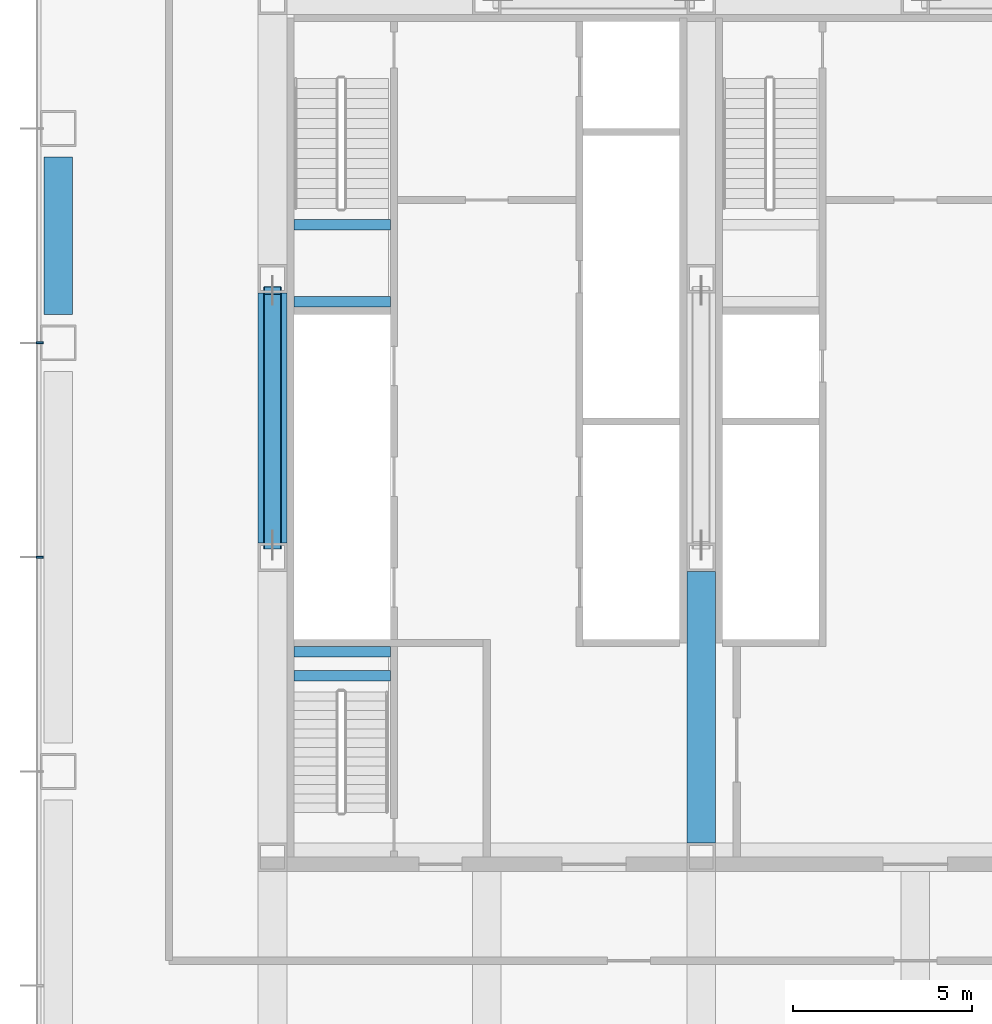
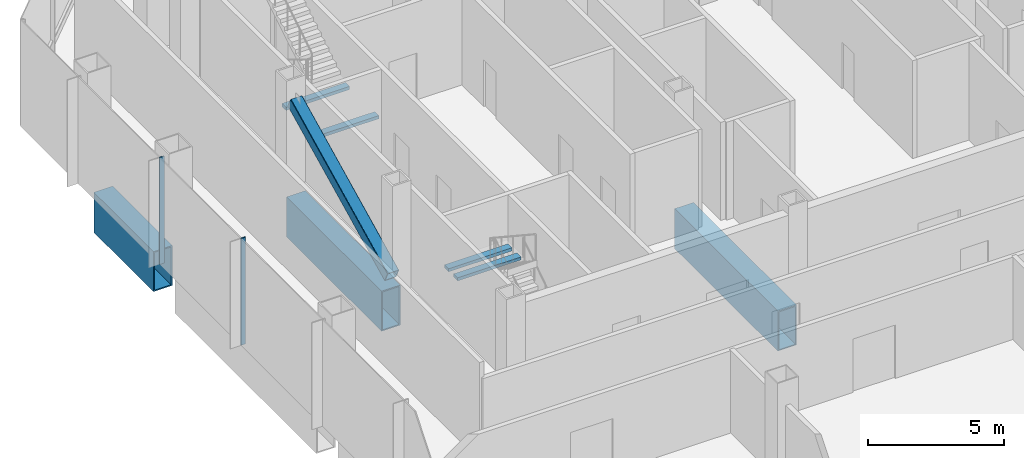
# One storey, part 10 of 34: 7 beams, 3 members, 1 element without a shape of its own.
"""IFC4 building model written with IfcOpenShell, lengths in metres."""

from ifc_helpers import new_model, si_unit, direction, frame, origin, origin_2d, place, context, subcontext, project, spatial, rectangle, hollow_rectangle, extrude, material, material_profile, profile_set, type_object, element, aggregate, save


model = new_model("IFC4")

# Units and contexts
model_context = context("Model", 3, precision=1e-05, world=origin(), true_north=direction((0.0, 1.0)))
body_context = subcontext(model_context, "Body", "Model", "MODEL_VIEW")
ifc_project = project(units=[si_unit("LENGTHUNIT", "METRE"), si_unit("AREAUNIT", "SQUARE_METRE"), si_unit("VOLUMEUNIT", "CUBIC_METRE"), si_unit("PLANEANGLEUNIT", "RADIAN"), si_unit("MASSUNIT", "GRAM", prefix="KILO")], contexts=[model_context])

# Site, building, storey
site_placement = place(None, origin())
site = spatial("IfcSite", under=ifc_project, at=site_placement, CompositionType="ELEMENT")
building_placement = place(site_placement, origin())
building = spatial("IfcBuilding", under=site, at=building_placement, Name="Sorahane Residences", CompositionType="ELEMENT")
storey_placement = place(building_placement, frame((0.0, 0.0, 20.39990234375)))
storey = spatial("IfcBuildingStorey", under=building, at=storey_placement, Name="L02", CompositionType="ELEMENT", Elevation=20.39990234375)

# Member
ifc_material_1 = material(Name="Steel Q355B", Category="steel")
ifc_material_profile_1 = material_profile(ifc_material_1, hollow_rectangle(XDim=0.5, YDim=0.5, WallThickness=0.02490234375, InnerFilletRadius=0.012451171875, OuterFilletRadius=0.03759765625, at=origin_2d()), Name="RHS 500x500x25")
ifc_profile_set_1 = profile_set([ifc_material_profile_1], Name="Steel Q355B")
member_type_1 = type_object("IfcMemberType", Name="Core brace RHS 500x500x25 Q355B", PredefinedType="BRACE", material=ifc_profile_set_1)
member_1_placement = place(storey_placement, frame((6.0, 30.333740234375, 0.217529296875), z_axis=(0.0, 0.896985291701, 0.442060387811), x_axis=(-1.0, 0.0, 0.0)))
element("IfcMember", 1, at=member_1_placement, inside=storey, type_object=member_type_1, Name="Core brace L02 x6-2", PredefinedType="BRACE", context=body_context, shape_type="SweptSolid", body=[
    extrude(hollow_rectangle(XDim=0.5, YDim=0.5, WallThickness=0.02490234375, InnerFilletRadius=0.012451171875, OuterFilletRadius=0.03759765625, at=origin_2d()), origin(), (0.0, 0.0, 1.0), 7.95166015625),
])

# Curtain wall, members
ifc_material_2 = material(Name="Dark low-e glass and black anodised aluminium", Category="aluminium")
curtain_wall_type = type_object("IfcCurtainWallType", Name="Curtain wall CW-3 Podium unitised wall", PredefinedType="NOTDEFINED", material=ifc_material_2)
curtain_wall_placement = place(storey_placement, origin())
curtain_wall = element("IfcCurtainWall", 2, at=curtain_wall_placement, inside=storey, type_object=curtain_wall_type, Name="CW-3 curtain wall L02 W1", PredefinedType="NOTDEFINED")
ifc_material_3 = material(Name="Black anodised aluminium", Category="aluminium")
ifc_material_profile_2 = material_profile(ifc_material_3, rectangle(XDim=0.199951171875, YDim=0.050048828125, at=origin_2d()), Name="Curtain wall mullion CW-3 black anodised aluminium 50x200")
ifc_profile_set_2 = profile_set([ifc_material_profile_2], Name="Black anodised aluminium")
member_type_2 = type_object("IfcMemberType", Name="Curtain wall mullion CW-3 black anodised aluminium 50x200", PredefinedType="MULLION", material=ifc_profile_set_2)
member_2_placement = place(storey_placement, frame((-0.52001953125, 36.0, -0.39990234375), z_axis=(0.0, 0.0, 1.0), x_axis=(-1.0, 0.0, 0.0)))
member_2 = element("IfcMember", 3, at=member_2_placement, type_object=member_type_2, Name="CW-3 mullion L02 W1.3", PredefinedType="MULLION", context=body_context, shape_type="SweptSolid", body=[
    extrude(rectangle(XDim=0.199951171875, YDim=0.050048828125, at=origin_2d()), origin(), (0.0, 0.0, 1.0), 4.800048828125),
])
member_3_placement = place(storey_placement, frame((-0.52001953125, 30.0, -0.39990234375), z_axis=(0.0, 0.0, 1.0), x_axis=(-1.0, 0.0, 0.0)))
member_3 = element("IfcMember", 4, at=member_3_placement, type_object=member_type_2, Name="CW-3 mullion L02 W1.4", PredefinedType="MULLION", context=body_context, shape_type="SweptSolid", body=[
    extrude(rectangle(XDim=0.199951171875, YDim=0.050048828125, at=origin_2d()), origin(), (0.0, 0.0, 1.0), 4.800048828125),
])
aggregate(curtain_wall, [member_2, member_3])

# Beams
ifc_material_4 = material(Name="Concrete C40", Category="concrete")
ifc_material_profile_3 = material_profile(ifc_material_4, rectangle(XDim=0.300048828125, YDim=0.139892578125, at=origin_2d()), Name="300x140")
ifc_profile_set_3 = profile_set([ifc_material_profile_3], Name="Concrete C40")
beam_type_1 = type_object("IfcBeamType", Name="RC landing beam 300 x 140 Concrete C40", PredefinedType="BEAM", material=ifc_profile_set_3)
for number, where, z_axis, x_axis, name in (
    (5, (6.60009765625, 37.14990234375, 2.130126953125), (1.0, 0.0, 0.0), (0.0, 1.0, 0.0), "Landing beam"),
    (6, (6.60009765625, 39.31005859375, 2.130126953125), (1.0, 0.0, 0.0), (0.0, 1.0, 0.0), "Landing beam"),
    (7, (6.60009765625, 26.679931640625, 2.130126953125), (1.0, 0.0, 0.0), (0.0, 1.0, 0.0), "Landing beam"),
    (8, (6.60009765625, 27.35009765625, 2.130126953125), (1.0, 0.0, 0.0), (0.0, 1.0, 0.0), "Landing beam"),
):
    element("IfcBeam", number, at=place(storey_placement, frame(where, z_axis=z_axis, x_axis=x_axis)), inside=storey, type_object=beam_type_1, Name=name, PredefinedType="BEAM", context=body_context, shape_type="SweptSolid", body=[
        extrude(rectangle(XDim=0.300048828125, YDim=0.139892578125, at=origin_2d()), origin(), (0.0, 0.0, 1.0), 2.699951171875),
    ])
ifc_material_5 = material(Name="Steel Q420GJ", Category="steel")
ifc_material_profile_4 = material_profile(ifc_material_5, hollow_rectangle(XDim=0.800048828125, YDim=1.800048828125, WallThickness=0.050048828125, at=origin_2d()), Name="BOX 1800x800x50")
ifc_profile_set_4 = profile_set([ifc_material_profile_4], Name="Steel Q420GJ")
beam_type_2 = type_object("IfcBeamType", Name="Steel transfer girder BOX 1800x800x50 Q420GJ", PredefinedType="BEAM", material=ifc_profile_set_4)
beam_1_placement = place(storey_placement, frame((0.0, 36.800048828125, -1.2998046875), z_axis=(0.0, 1.0, 0.0), x_axis=(-1.0, 0.0, 0.0)))
element("IfcBeam", 9, at=beam_1_placement, inside=storey, type_object=beam_type_2, Name="Beam L02 034", PredefinedType="BEAM", context=body_context, shape_type="SweptSolid", body=[
    extrude(hollow_rectangle(XDim=0.800048828125, YDim=1.800048828125, WallThickness=0.050048828125, at=origin_2d()), origin(), (0.0, 0.0, 1.0), 4.39990234375),
])
beam_2_placement = place(storey_placement, frame((6.0, 30.39990234375, -1.2998046875), z_axis=(0.0, 1.0, 0.0), x_axis=(-1.0, 0.0, 0.0)))
element("IfcBeam", 10, at=beam_2_placement, inside=storey, type_object=beam_type_2, Name="Beam L02 058", PredefinedType="BEAM", context=body_context, shape_type="SweptSolid", body=[
    extrude(hollow_rectangle(XDim=0.800048828125, YDim=1.800048828125, WallThickness=0.050048828125, at=origin_2d()), origin(), (0.0, 0.0, 1.0), 7.0),
])
beam_3_placement = place(storey_placement, frame((18.0, 22.0, -1.2998046875), z_axis=(0.0, 1.0, 0.0), x_axis=(-1.0, 0.0, 0.0)))
element("IfcBeam", 11, at=beam_3_placement, inside=storey, type_object=beam_type_2, Name="Beam L02 063", PredefinedType="BEAM", context=body_context, shape_type="SweptSolid", body=[
    extrude(hollow_rectangle(XDim=0.800048828125, YDim=1.800048828125, WallThickness=0.050048828125, at=origin_2d()), origin(), (0.0, 0.0, 1.0), 7.60009765625),
])

save(model, "model.ifc")
